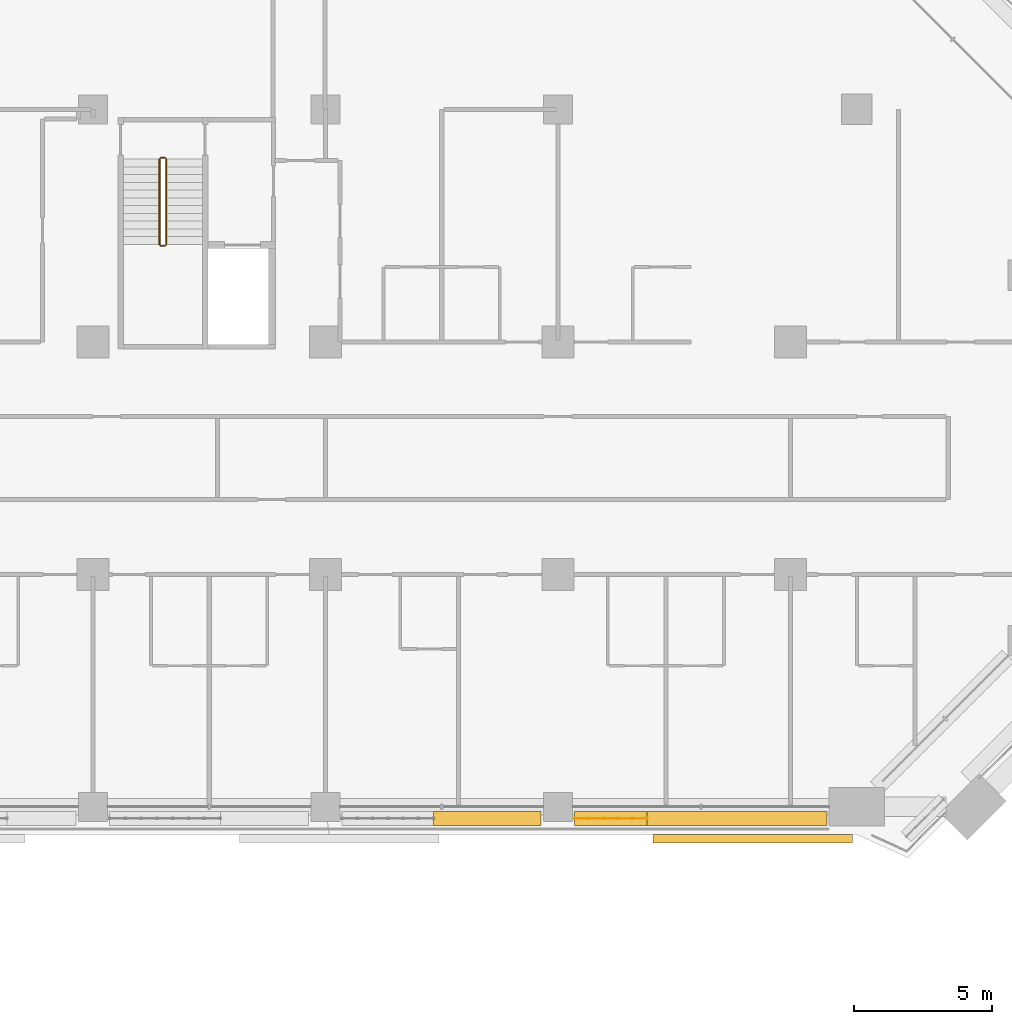
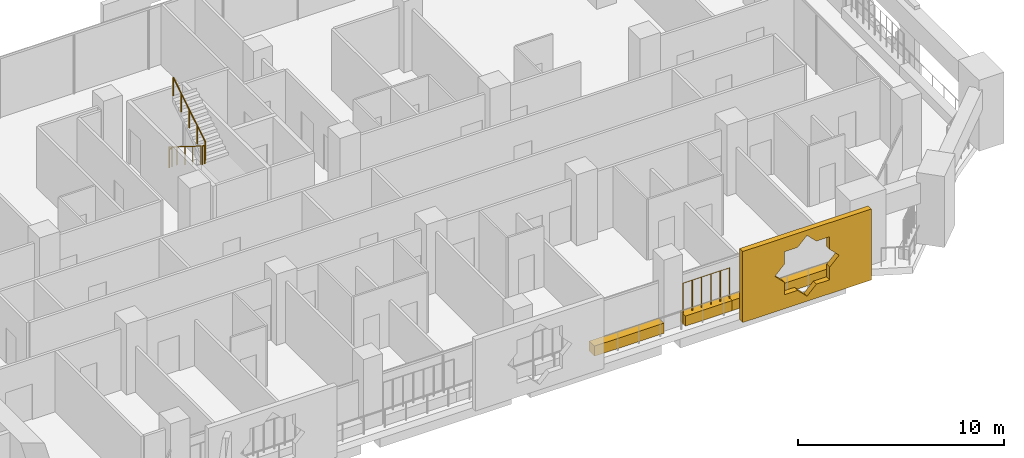
# One storey, part 25 of 27: 5 railings, 4 coverings.
"""IFC4 building model written with IfcOpenShell, lengths in metres."""

from ifc_helpers import new_model, si_unit, direction, frame, origin, origin_2d, place, context, subcontext, project, spatial, polyline, rectangle, circle, outline, extrude, material, material_profile, profile_set, type_object, element, save


model = new_model("IFC4")

# Units and contexts
model_context = context("Model", 3, precision=1e-05, world=origin(), true_north=direction((0.0, 1.0)))
body_context = subcontext(model_context, "Body", "Model", "MODEL_VIEW")
ifc_project = project(units=[si_unit("LENGTHUNIT", "METRE"), si_unit("AREAUNIT", "SQUARE_METRE"), si_unit("VOLUMEUNIT", "CUBIC_METRE"), si_unit("PLANEANGLEUNIT", "RADIAN"), si_unit("MASSUNIT", "GRAM", prefix="KILO")], contexts=[model_context])

# Site, building, storey
site_placement = place(None, origin())
site = spatial("IfcSite", under=ifc_project, at=site_placement, CompositionType="ELEMENT")
building_placement = place(site_placement, origin())
building = spatial("IfcBuilding", under=site, at=building_placement, Name="Kawkab Arch Medical Tower", CompositionType="ELEMENT")
storey_placement = place(building_placement, frame((0.0, 0.0, 115.60009765625)))
storey = spatial("IfcBuildingStorey", under=building, at=storey_placement, Name="L26", CompositionType="ELEMENT", Elevation=115.60009765625)

# Coverings
ifc_material_1 = material(Name="Bronze anodised aluminium mashrabiya panel, eight-point star pattern", Category="aluminium")
ifc_material_profile_1 = material_profile(ifc_material_1, outline(polyline([(-3.60009765625, -2.10009765625), (3.60009765625, -2.10009765625), (3.60009765625, 2.10009765625), (-3.60009765625, 2.10009765625), (-3.60009765625, -2.10009765625)]), holes=[polyline([(1.800048828125, 0.0), (1.272705078125, 0.527099609375), (1.272705078125, 1.272705078125), (0.527099609375, 1.272705078125), (0.0, 1.800048828125), (-0.527099609375, 1.272705078125), (-1.272705078125, 1.272705078125), (-1.272705078125, 0.527099609375), (-1.800048828125, 0.0), (-1.272705078125, -0.527099609375), (-1.272705078125, -1.272705078125), (-0.527099609375, -1.272705078125), (0.0, -1.800048828125), (0.527099609375, -1.272705078125), (1.272705078125, -1.272705078125), (1.272705078125, -0.527099609375), (1.800048828125, 0.0)])]), Name="Mashrabiya panel 7200x4200")
ifc_profile_set_1 = profile_set([ifc_material_profile_1], Name="Bronze anodised aluminium mashrabiya panel, eight-point star pattern")
covering_type_1 = type_object("IfcCoveringType", Name="Mashrabiya panel 7200 x 4200", PredefinedType="USERDEFINED", material=ifc_profile_set_1)
covering_1_placement = place(storey_placement, frame((65.840087890625, -26.199951171875, 1.699951171875), z_axis=(0.0, -1.0, 0.0), x_axis=(1.0, 0.0, 0.0)))
element("IfcCovering", 1, at=covering_1_placement, inside=storey, type_object=covering_type_1, Name="Mashrabiya panel L26.LOG-01-01.11", ObjectType="SCREEN", PredefinedType="USERDEFINED", context=body_context, shape_type="SweptSolid", body=[
    extrude(outline(polyline([(-3.60009765625, -2.10009765625), (3.60009765625, -2.10009765625), (3.60009765625, 2.10009765625), (-3.60009765625, 2.10009765625), (-3.60009765625, -2.10009765625)]), holes=[polyline([(1.800048828125, 0.0), (1.272705078125, 0.527099609375), (1.272705078125, 1.272705078125), (0.527099609375, 1.272705078125), (0.0, 1.800048828125), (-0.527099609375, 1.272705078125), (-1.272705078125, 1.272705078125), (-1.272705078125, 0.527099609375), (-1.800048828125, 0.0), (-1.272705078125, -0.527099609375), (-1.272705078125, -1.272705078125), (-0.527099609375, -1.272705078125), (0.0, -1.800048828125), (0.527099609375, -1.272705078125), (1.272705078125, -1.272705078125), (1.272705078125, -0.527099609375), (1.800048828125, 0.0)])]), origin(), (0.0, 0.0, 1.0), 0.300048828125),
])
ifc_material_2 = material(Name="Planting soil in a precast trough", Category="concrete")
ifc_material_profile_2 = material_profile(ifc_material_2, rectangle(XDim=0.5, YDim=0.60009765625, at=origin_2d()), Name="Trough 500x600")
ifc_profile_set_2 = profile_set([ifc_material_profile_2], Name="Planting soil in a precast trough")
covering_type_2 = type_object("IfcCoveringType", Name="Planter trough 500 x 600", PredefinedType="USERDEFINED", material=ifc_profile_set_2)
covering_2_placement = place(storey_placement, frame((68.52001953125, -25.6201171875, 0.2998046875), z_axis=(-1.0, 0.0, 0.0), x_axis=(0.0, -1.0, 0.0)))
element("IfcCovering", 2, at=covering_2_placement, inside=storey, type_object=covering_type_2, Name="Planter L26.LOG-01-01.34", ObjectType="PLANTER", PredefinedType="USERDEFINED", context=body_context, shape_type="SweptSolid", body=[
    extrude(rectangle(XDim=0.5, YDim=0.60009765625, at=origin_2d()), origin(), (0.0, 0.0, 1.0), 6.501953125),
])
covering_3_placement = place(storey_placement, frame((62.01806640625, -25.6201171875, 0.2998046875), z_axis=(-1.0, 0.0, 0.0), x_axis=(0.0, -1.0, 0.0)))
element("IfcCovering", 3, at=covering_3_placement, inside=storey, type_object=covering_type_2, Name="Planter L26.LOG-01-01.35", ObjectType="PLANTER", PredefinedType="USERDEFINED", context=body_context, shape_type="SweptSolid", body=[
    extrude(rectangle(XDim=0.5, YDim=0.60009765625, at=origin_2d()), origin(), (0.0, 0.0, 1.0), 2.613037109375),
])
covering_4_placement = place(storey_placement, frame((58.195068359375, -25.6201171875, 0.2998046875), z_axis=(-1.0, 0.0, 0.0), x_axis=(0.0, -1.0, 0.0)))
element("IfcCovering", 4, at=covering_4_placement, inside=storey, type_object=covering_type_2, Name="Planter L26.LOG-01-01.36", ObjectType="PLANTER", PredefinedType="USERDEFINED", context=body_context, shape_type="SweptSolid", body=[
    extrude(rectangle(XDim=0.5, YDim=0.60009765625, at=origin_2d()), origin(), (0.0, 0.0, 1.0), 3.885986328125),
])

# Railings
ifc_material_3 = material(Name="Bronze anodised aluminium trellis for climbing plants", Category="aluminium")
railing_type_1 = type_object("IfcRailingType", Name="Planting trellis 2400", PredefinedType="USERDEFINED", material=ifc_material_3)
railing_1_placement = place(storey_placement, frame((62.01806640625, -25.6201171875, 0.0)))
element("IfcRailing", 5, at=railing_1_placement, inside=storey, type_object=railing_type_1, Name="Planting trellis L26.LOG-01-01.35", ObjectType="TRELLIS", PredefinedType="USERDEFINED", context=body_context, shape_type="SweptSolid", body=[
    extrude(circle(Radius=0.01513671875, at=origin_2d()), frame((0.0, 0.0, 2.384765625), z_axis=(-1.0, 0.0, 0.0), x_axis=(0.0, -1.0, 0.0)), (0.0, 0.0, 1.0), 2.613037109375),
    extrude(circle(Radius=0.030029296875, at=origin_2d()), origin(), (0.0, 0.0, 1.0), 2.369873046875),
    extrude(circle(Radius=0.030029296875, at=origin_2d()), frame((-0.522705078125, 0.0, 0.0)), (0.0, 0.0, 1.0), 2.369873046875),
    extrude(circle(Radius=0.030029296875, at=origin_2d()), frame((-1.045166015625, 0.0, 0.0)), (0.0, 0.0, 1.0), 2.369873046875),
    extrude(circle(Radius=0.030029296875, at=origin_2d()), frame((-1.56787109375, 0.0, 0.0)), (0.0, 0.0, 1.0), 2.369873046875),
    extrude(circle(Radius=0.030029296875, at=origin_2d()), frame((-2.09033203125, 0.0, 0.0)), (0.0, 0.0, 1.0), 2.369873046875),
    extrude(circle(Radius=0.030029296875, at=origin_2d()), frame((-2.613037109375, 0.0, 0.0)), (0.0, 0.0, 1.0), 2.369873046875),
])
ifc_material_4 = material(Name="Stainless steel", Category="steel")
railing_type_2 = type_object("IfcRailingType", Name="Stair guard 1100", PredefinedType="GUARDRAIL", material=ifc_material_4)
railing_2_placement = place(storey_placement, frame((44.39990234375, -1.800048828125, 0.1748046875)))
element("IfcRailing", 6, at=railing_2_placement, inside=storey, type_object=railing_type_2, Name="L26 ST5 stair guard 1", PredefinedType="GUARDRAIL", context=body_context, shape_type="SweptSolid", body=[
    extrude(circle(Radius=0.02392578125, at=origin_2d()), frame((0.0, 0.0, 1.076171875), z_axis=(0.0, -0.847979421464, 0.530029150871), x_axis=(1.0, 0.0, 0.0)), (0.0, 0.0, 1.0), 3.632080078125),
    extrude(circle(Radius=0.02099609375, at=origin_2d()), origin(), (0.0, 0.0, 1.0), 1.052001953125),
    extrude(circle(Radius=0.02099609375, at=origin_2d()), frame((0.0, -0.77001953125, 0.481201171875)), (0.0, 0.0, 1.0), 1.052001953125),
    extrude(circle(Radius=0.02099609375, at=origin_2d()), frame((0.0, -1.5400390625, 0.96240234375)), (0.0, 0.0, 1.0), 1.052001953125),
    extrude(circle(Radius=0.02099609375, at=origin_2d()), frame((0.0, -2.309814453125, 1.44384765625)), (0.0, 0.0, 1.0), 1.052001953125),
    extrude(circle(Radius=0.02099609375, at=origin_2d()), frame((0.0, -3.079833984375, 1.925048828125)), (0.0, 0.0, 1.0), 1.052001953125),
])
railing_3_placement = place(storey_placement, frame((44.449951171875, -4.929931640625, 2.099853515625)))
element("IfcRailing", 7, at=railing_3_placement, inside=storey, type_object=railing_type_2, Name="L26 ST5 stair guard 2", PredefinedType="GUARDRAIL", context=body_context, shape_type="SweptSolid", body=[
    extrude(circle(Radius=0.02392578125, at=origin_2d()), frame((0.0, 0.0, 1.076171875), z_axis=(1.0, 0.0, 0.0), x_axis=(0.0, 1.0, 0.0)), (0.0, 0.0, 1.0), 0.150146484375),
    extrude(circle(Radius=0.02099609375, at=origin_2d()), origin(), (0.0, 0.0, 1.0), 1.052001953125),
    extrude(circle(Radius=0.02099609375, at=origin_2d()), frame((0.150146484375, 0.0, 0.0)), (0.0, 0.0, 1.0), 1.052001953125),
])
railing_4_placement = place(storey_placement, frame((44.64990234375, -4.8798828125, 2.27490234375)))
element("IfcRailing", 8, at=railing_4_placement, inside=storey, type_object=railing_type_2, Name="L26 ST5 stair guard 3", PredefinedType="GUARDRAIL", context=body_context, shape_type="SweptSolid", body=[
    extrude(circle(Radius=0.02392578125, at=origin_2d()), frame((0.0, 0.0, 1.076171875), z_axis=(0.0, 0.847979421464, 0.530029150871), x_axis=(-1.0, 0.0, 0.0)), (0.0, 0.0, 1.0), 3.632080078125),
    extrude(circle(Radius=0.02099609375, at=origin_2d()), origin(), (0.0, 0.0, 1.0), 1.052001953125),
    extrude(circle(Radius=0.02099609375, at=origin_2d()), frame((0.0, 0.77001953125, 0.481201171875)), (0.0, 0.0, 1.0), 1.052001953125),
    extrude(circle(Radius=0.02099609375, at=origin_2d()), frame((0.0, 1.5400390625, 0.96240234375)), (0.0, 0.0, 1.0), 1.052001953125),
    extrude(circle(Radius=0.02099609375, at=origin_2d()), frame((0.0, 2.309814453125, 1.44384765625)), (0.0, 0.0, 1.0), 1.052001953125),
    extrude(circle(Radius=0.02099609375, at=origin_2d()), frame((0.0, 3.079833984375, 1.925048828125)), (0.0, 0.0, 1.0), 1.052001953125),
])
railing_5_placement = place(storey_placement, frame((44.449951171875, -1.75, 0.0)))
element("IfcRailing", 9, at=railing_5_placement, inside=storey, type_object=railing_type_2, Name="L26 ST5 stair guard 4", PredefinedType="GUARDRAIL", context=body_context, shape_type="SweptSolid", body=[
    extrude(circle(Radius=0.02392578125, at=origin_2d()), frame((0.0, 0.0, 1.076171875), z_axis=(1.0, 0.0, 0.0), x_axis=(0.0, 1.0, 0.0)), (0.0, 0.0, 1.0), 0.150146484375),
    extrude(circle(Radius=0.02099609375, at=origin_2d()), origin(), (0.0, 0.0, 1.0), 1.052001953125),
    extrude(circle(Radius=0.02099609375, at=origin_2d()), frame((0.150146484375, 0.0, 0.0)), (0.0, 0.0, 1.0), 1.052001953125),
])

save(model, "model.ifc")
